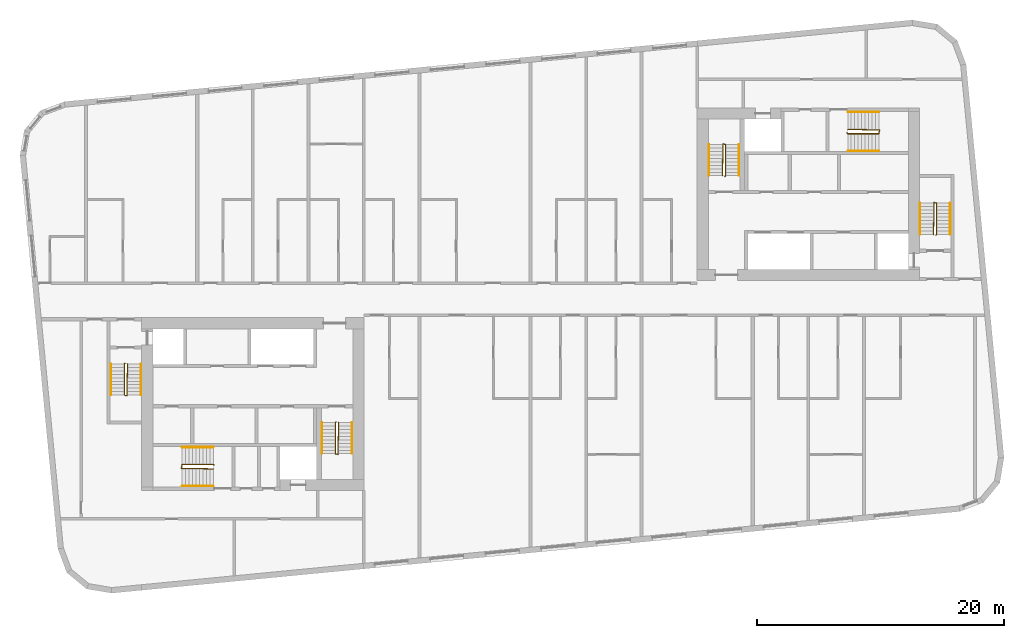
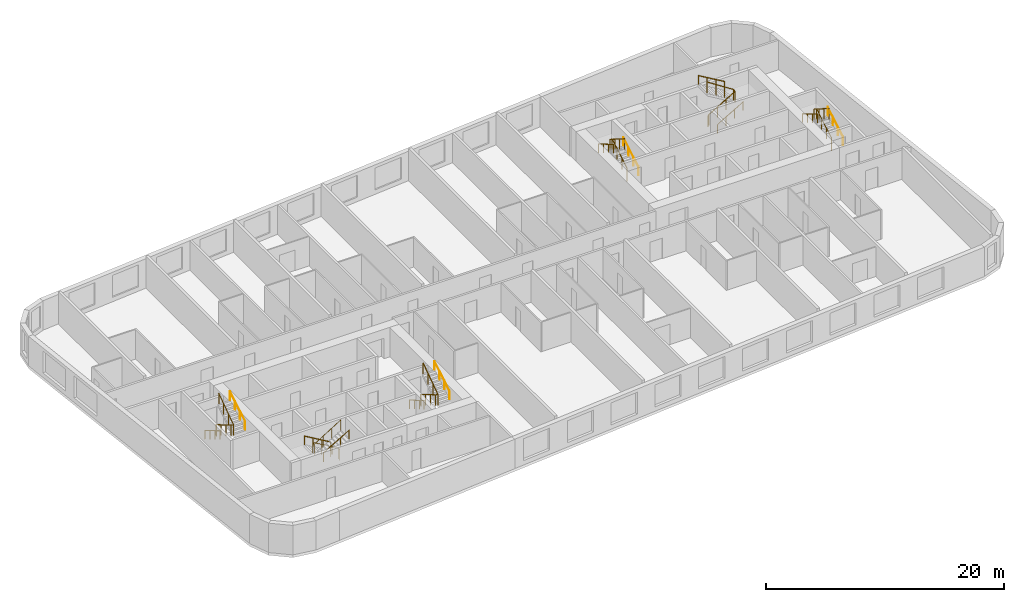
# One storey, part 12 of 12: 18 railings.
"""IFC4 building model written with IfcOpenShell, lengths in metres."""

from ifc_helpers import new_model, si_unit, direction, frame, origin, origin_2d, place, context, subcontext, project, spatial, circle, extrude, material, type_object, element, save


model = new_model("IFC4")

# Units and contexts
model_context = context("Model", 3, precision=1e-05, world=origin(), true_north=direction((0.0, 1.0)))
body_context = subcontext(model_context, "Body", "Model", "MODEL_VIEW")
ifc_project = project(units=[si_unit("LENGTHUNIT", "METRE"), si_unit("AREAUNIT", "SQUARE_METRE"), si_unit("VOLUMEUNIT", "CUBIC_METRE"), si_unit("PLANEANGLEUNIT", "RADIAN"), si_unit("MASSUNIT", "GRAM", prefix="KILO")], contexts=[model_context])

# Site, building, storey
site_placement = place(None, origin())
site = spatial("IfcSite", under=ifc_project, at=site_placement, CompositionType="ELEMENT")
building_placement = place(site_placement, origin())
building = spatial("IfcBuilding", under=site, at=building_placement, Name="Kajstack Hotel Tower", CompositionType="ELEMENT")
storey_placement = place(building_placement, frame((0.0, 0.0, 301.5)))
storey = spatial("IfcBuildingStorey", under=building, at=storey_placement, Name="L76", CompositionType="ELEMENT", Elevation=301.5)

# Railings
ifc_material = material(Name="Steel S355J2", Category="steel")
railing_type_1 = type_object("IfcRailingType", Name="Stair guard 1100", PredefinedType="GUARDRAIL", material=ifc_material)
railing_1_placement = place(storey_placement, frame((-32.85009765625, -5.199951171875, 0.0)))
element("IfcRailing", 1, at=railing_1_placement, inside=storey, type_object=railing_type_1, Name="L76 W1 stair guard 1", PredefinedType="GUARDRAIL", context=body_context, shape_type="SweptSolid", body=[
    extrude(circle(Radius=0.02392578125, at=origin_2d()), frame((0.0, 0.0, 1.076171875), z_axis=(-0.277450376394, -0.278810427259, 0.919394384522), x_axis=(0.708833529934, -0.705375805398, 0.0)), (0.0, 0.0, 1.0), 0.179443359375),
    extrude(circle(Radius=0.02392578125, at=origin_2d()), frame((-0.0498046875, -0.050048828125, 1.2412109375), z_axis=(0.0, -0.861560626758, 0.507654692109), x_axis=(1.0, 0.0, 0.0)), (0.0, 0.0, 1.0), 2.925048828125),
    extrude(circle(Radius=0.02392578125, at=origin_2d()), frame((-0.0498046875, -2.570068359375, 2.72607421875), z_axis=(0.970072785993, -0.242814311512, 0.0), x_axis=(0.242814311512, 0.970072785993, 0.0)), (0.0, 0.0, 1.0), 0.2060546875),
    extrude(circle(Radius=0.02392578125, at=origin_2d()), frame((0.150146484375, -2.6201171875, 2.72607421875), z_axis=(0.016384601254, 0.84136925563, 0.540212292087), x_axis=(-0.999810440751, 0.019470042781, 0.0)), (0.0, 0.0, 1.0), 3.0546875),
    extrude(circle(Radius=0.02099609375, at=origin_2d()), origin(), (0.0, 0.0, 1.0), 1.052001953125),
    extrude(circle(Radius=0.02099609375, at=origin_2d()), frame((-0.0498046875, -0.050048828125, 0.1650390625)), (0.0, 0.0, 1.0), 1.052001953125),
    extrude(circle(Radius=0.02099609375, at=origin_2d()), frame((-0.0498046875, -0.89013671875, 0.659912109375)), (0.0, 0.0, 1.0), 1.052001953125),
    extrude(circle(Radius=0.02099609375, at=origin_2d()), frame((-0.0498046875, -1.72998046875, 1.155029296875)), (0.0, 0.0, 1.0), 1.052001953125),
    extrude(circle(Radius=0.02099609375, at=origin_2d()), frame((-0.0498046875, -2.570068359375, 1.64990234375)), (0.0, 0.0, 1.0), 1.052001953125),
    extrude(circle(Radius=0.02099609375, at=origin_2d()), frame((0.150146484375, -2.6201171875, 1.64990234375)), (0.0, 0.0, 1.0), 1.052001953125),
    extrude(circle(Radius=0.02099609375, at=origin_2d()), frame((0.166748046875, -1.763427734375, 2.199951171875)), (0.0, 0.0, 1.0), 1.052001953125),
    extrude(circle(Radius=0.02099609375, at=origin_2d()), frame((0.18359375, -0.90673828125, 2.75)), (0.0, 0.0, 1.0), 1.052001953125),
    extrude(circle(Radius=0.02099609375, at=origin_2d()), frame((0.2001953125, -0.050048828125, 3.300048828125)), (0.0, 0.0, 1.0), 1.052001953125),
])
railing_2_placement = place(storey_placement, frame((-15.75, -9.949951171875, 0.0)))
element("IfcRailing", 2, at=railing_2_placement, inside=storey, type_object=railing_type_1, Name="L76 W2 stair guard 1", PredefinedType="GUARDRAIL", context=body_context, shape_type="SweptSolid", body=[
    extrude(circle(Radius=0.02392578125, at=origin_2d()), frame((0.0, 0.0, 1.076171875), z_axis=(-0.278705021027, -0.278705021027, 0.919046801044), x_axis=(0.707106781187, -0.707106781187, 0.0)), (0.0, 0.0, 1.0), 0.1796875),
    extrude(circle(Radius=0.02392578125, at=origin_2d()), frame((-0.050048828125, -0.050048828125, 1.2412109375), z_axis=(0.0, -0.861560626758, 0.507654692109), x_axis=(1.0, 0.0, 0.0)), (0.0, 0.0, 1.0), 2.925048828125),
    extrude(circle(Radius=0.02392578125, at=origin_2d()), frame((-0.050048828125, -2.570068359375, 2.72607421875), z_axis=(0.970072785993, -0.242814311512, 0.0), x_axis=(0.242814311512, 0.970072785993, 0.0)), (0.0, 0.0, 1.0), 0.2060546875),
    extrude(circle(Radius=0.02392578125, at=origin_2d()), frame((0.14990234375, -2.6201171875, 2.72607421875), z_axis=(0.016384601254, 0.84136925563, 0.540212292087), x_axis=(-0.999810440751, 0.019470042781, 0.0)), (0.0, 0.0, 1.0), 3.0546875),
    extrude(circle(Radius=0.02099609375, at=origin_2d()), origin(), (0.0, 0.0, 1.0), 1.052001953125),
    extrude(circle(Radius=0.02099609375, at=origin_2d()), frame((-0.050048828125, -0.050048828125, 0.1650390625)), (0.0, 0.0, 1.0), 1.052001953125),
    extrude(circle(Radius=0.02099609375, at=origin_2d()), frame((-0.050048828125, -0.89013671875, 0.659912109375)), (0.0, 0.0, 1.0), 1.052001953125),
    extrude(circle(Radius=0.02099609375, at=origin_2d()), frame((-0.050048828125, -1.72998046875, 1.155029296875)), (0.0, 0.0, 1.0), 1.052001953125),
    extrude(circle(Radius=0.02099609375, at=origin_2d()), frame((-0.050048828125, -2.570068359375, 1.64990234375)), (0.0, 0.0, 1.0), 1.052001953125),
    extrude(circle(Radius=0.02099609375, at=origin_2d()), frame((0.14990234375, -2.6201171875, 1.64990234375)), (0.0, 0.0, 1.0), 1.052001953125),
    extrude(circle(Radius=0.02099609375, at=origin_2d()), frame((0.16650390625, -1.763427734375, 2.199951171875)), (0.0, 0.0, 1.0), 1.052001953125),
    extrude(circle(Radius=0.02099609375, at=origin_2d()), frame((0.183349609375, -0.90673828125, 2.75)), (0.0, 0.0, 1.0), 1.052001953125),
    extrude(circle(Radius=0.02099609375, at=origin_2d()), frame((0.199951171875, -0.050048828125, 3.300048828125)), (0.0, 0.0, 1.0), 1.052001953125),
])
railing_3_placement = place(storey_placement, frame((-25.64990234375, -13.449951171875, 0.0)))
element("IfcRailing", 3, at=railing_3_placement, inside=storey, type_object=railing_type_1, Name="L76 W3 stair guard 1", PredefinedType="GUARDRAIL", context=body_context, shape_type="SweptSolid", body=[
    extrude(circle(Radius=0.02392578125, at=origin_2d()), frame((0.0, 0.0, 1.076171875), z_axis=(-0.278705021027, 0.278705021027, 0.919046801044), x_axis=(-0.707106781187, -0.707106781187, 0.0)), (0.0, 0.0, 1.0), 0.1796875),
    extrude(circle(Radius=0.02392578125, at=origin_2d()), frame((-0.050048828125, 0.050048828125, 1.2412109375), z_axis=(-0.861560626758, 0.0, 0.507654692109), x_axis=(0.0, -1.0, 0.0)), (0.0, 0.0, 1.0), 2.925048828125),
    extrude(circle(Radius=0.02392578125, at=origin_2d()), frame((-2.570068359375, 0.050048828125, 2.72607421875), z_axis=(-0.164529134168, -0.986372223864, 0.0), x_axis=(0.986372223864, -0.164529134168, 0.0)), (0.0, 0.0, 1.0), 0.30419921875),
    extrude(circle(Radius=0.02392578125, at=origin_2d()), frame((-2.6201171875, -0.25, 2.72607421875), z_axis=(0.84136925563, -0.016384601254, 0.540212292087), x_axis=(0.019470042781, 0.999810440751, 0.0)), (0.0, 0.0, 1.0), 3.0546875),
    extrude(circle(Radius=0.02099609375, at=origin_2d()), origin(), (0.0, 0.0, 1.0), 1.052001953125),
    extrude(circle(Radius=0.02099609375, at=origin_2d()), frame((-0.050048828125, 0.050048828125, 0.1650390625)), (0.0, 0.0, 1.0), 1.052001953125),
    extrude(circle(Radius=0.02099609375, at=origin_2d()), frame((-0.89013671875, 0.050048828125, 0.659912109375)), (0.0, 0.0, 1.0), 1.052001953125),
    extrude(circle(Radius=0.02099609375, at=origin_2d()), frame((-1.72998046875, 0.050048828125, 1.155029296875)), (0.0, 0.0, 1.0), 1.052001953125),
    extrude(circle(Radius=0.02099609375, at=origin_2d()), frame((-2.570068359375, 0.050048828125, 1.64990234375)), (0.0, 0.0, 1.0), 1.052001953125),
    extrude(circle(Radius=0.02099609375, at=origin_2d()), frame((-2.6201171875, -0.25, 1.64990234375)), (0.0, 0.0, 1.0), 1.052001953125),
    extrude(circle(Radius=0.02099609375, at=origin_2d()), frame((-1.763427734375, -0.2666015625, 2.199951171875)), (0.0, 0.0, 1.0), 1.052001953125),
    extrude(circle(Radius=0.02099609375, at=origin_2d()), frame((-0.90673828125, -0.283447265625, 2.75)), (0.0, 0.0, 1.0), 1.052001953125),
    extrude(circle(Radius=0.02099609375, at=origin_2d()), frame((-0.050048828125, -0.300048828125, 3.300048828125)), (0.0, 0.0, 1.0), 1.052001953125),
])
railing_4_placement = place(storey_placement, frame((32.85009765625, 5.199951171875, 0.0)))
element("IfcRailing", 4, at=railing_4_placement, inside=storey, type_object=railing_type_1, Name="L76 E1 stair guard 1", PredefinedType="GUARDRAIL", context=body_context, shape_type="SweptSolid", body=[
    extrude(circle(Radius=0.02392578125, at=origin_2d()), frame((0.0, 0.0, 1.076171875), z_axis=(0.277450376394, 0.278810427259, 0.919394384522), x_axis=(-0.708833529934, 0.705375805398, 0.0)), (0.0, 0.0, 1.0), 0.179443359375),
    extrude(circle(Radius=0.02392578125, at=origin_2d()), frame((0.0498046875, 0.050048828125, 1.2412109375), z_axis=(0.0, 0.861560626758, 0.507654692109), x_axis=(-1.0, 0.0, 0.0)), (0.0, 0.0, 1.0), 2.925048828125),
    extrude(circle(Radius=0.02392578125, at=origin_2d()), frame((0.0498046875, 2.570068359375, 2.72607421875), z_axis=(-0.970072785993, 0.242814311512, 0.0), x_axis=(-0.242814311512, -0.970072785993, 0.0)), (0.0, 0.0, 1.0), 0.2060546875),
    extrude(circle(Radius=0.02392578125, at=origin_2d()), frame((-0.150146484375, 2.6201171875, 2.72607421875), z_axis=(-0.016384601254, -0.84136925563, 0.540212292087), x_axis=(0.999810440751, -0.019470042781, 0.0)), (0.0, 0.0, 1.0), 3.0546875),
    extrude(circle(Radius=0.02099609375, at=origin_2d()), origin(), (0.0, 0.0, 1.0), 1.052001953125),
    extrude(circle(Radius=0.02099609375, at=origin_2d()), frame((0.0498046875, 0.050048828125, 0.1650390625)), (0.0, 0.0, 1.0), 1.052001953125),
    extrude(circle(Radius=0.02099609375, at=origin_2d()), frame((0.0498046875, 0.89013671875, 0.659912109375)), (0.0, 0.0, 1.0), 1.052001953125),
    extrude(circle(Radius=0.02099609375, at=origin_2d()), frame((0.0498046875, 1.72998046875, 1.155029296875)), (0.0, 0.0, 1.0), 1.052001953125),
    extrude(circle(Radius=0.02099609375, at=origin_2d()), frame((0.0498046875, 2.570068359375, 1.64990234375)), (0.0, 0.0, 1.0), 1.052001953125),
    extrude(circle(Radius=0.02099609375, at=origin_2d()), frame((-0.150146484375, 2.6201171875, 1.64990234375)), (0.0, 0.0, 1.0), 1.052001953125),
    extrude(circle(Radius=0.02099609375, at=origin_2d()), frame((-0.166748046875, 1.763427734375, 2.199951171875)), (0.0, 0.0, 1.0), 1.052001953125),
    extrude(circle(Radius=0.02099609375, at=origin_2d()), frame((-0.18359375, 0.90673828125, 2.75)), (0.0, 0.0, 1.0), 1.052001953125),
    extrude(circle(Radius=0.02099609375, at=origin_2d()), frame((-0.2001953125, 0.050048828125, 3.300048828125)), (0.0, 0.0, 1.0), 1.052001953125),
])
railing_5_placement = place(storey_placement, frame((15.75, 9.949951171875, 0.0)))
element("IfcRailing", 5, at=railing_5_placement, inside=storey, type_object=railing_type_1, Name="L76 E2 stair guard 1", PredefinedType="GUARDRAIL", context=body_context, shape_type="SweptSolid", body=[
    extrude(circle(Radius=0.02392578125, at=origin_2d()), frame((0.0, 0.0, 1.076171875), z_axis=(0.278705021027, 0.278705021027, 0.919046801044), x_axis=(-0.707106781187, 0.707106781187, 0.0)), (0.0, 0.0, 1.0), 0.1796875),
    extrude(circle(Radius=0.02392578125, at=origin_2d()), frame((0.050048828125, 0.050048828125, 1.2412109375), z_axis=(0.0, 0.861560626758, 0.507654692109), x_axis=(-1.0, 0.0, 0.0)), (0.0, 0.0, 1.0), 2.925048828125),
    extrude(circle(Radius=0.02392578125, at=origin_2d()), frame((0.050048828125, 2.570068359375, 2.72607421875), z_axis=(-0.970072785993, 0.242814311512, 0.0), x_axis=(-0.242814311512, -0.970072785993, 0.0)), (0.0, 0.0, 1.0), 0.2060546875),
    extrude(circle(Radius=0.02392578125, at=origin_2d()), frame((-0.14990234375, 2.6201171875, 2.72607421875), z_axis=(-0.016384601254, -0.84136925563, 0.540212292087), x_axis=(0.999810440751, -0.019470042781, 0.0)), (0.0, 0.0, 1.0), 3.0546875),
    extrude(circle(Radius=0.02099609375, at=origin_2d()), origin(), (0.0, 0.0, 1.0), 1.052001953125),
    extrude(circle(Radius=0.02099609375, at=origin_2d()), frame((0.050048828125, 0.050048828125, 0.1650390625)), (0.0, 0.0, 1.0), 1.052001953125),
    extrude(circle(Radius=0.02099609375, at=origin_2d()), frame((0.050048828125, 0.89013671875, 0.659912109375)), (0.0, 0.0, 1.0), 1.052001953125),
    extrude(circle(Radius=0.02099609375, at=origin_2d()), frame((0.050048828125, 1.72998046875, 1.155029296875)), (0.0, 0.0, 1.0), 1.052001953125),
    extrude(circle(Radius=0.02099609375, at=origin_2d()), frame((0.050048828125, 2.570068359375, 1.64990234375)), (0.0, 0.0, 1.0), 1.052001953125),
    extrude(circle(Radius=0.02099609375, at=origin_2d()), frame((-0.14990234375, 2.6201171875, 1.64990234375)), (0.0, 0.0, 1.0), 1.052001953125),
    extrude(circle(Radius=0.02099609375, at=origin_2d()), frame((-0.16650390625, 1.763427734375, 2.199951171875)), (0.0, 0.0, 1.0), 1.052001953125),
    extrude(circle(Radius=0.02099609375, at=origin_2d()), frame((-0.183349609375, 0.90673828125, 2.75)), (0.0, 0.0, 1.0), 1.052001953125),
    extrude(circle(Radius=0.02099609375, at=origin_2d()), frame((-0.199951171875, 0.050048828125, 3.300048828125)), (0.0, 0.0, 1.0), 1.052001953125),
])
railing_6_placement = place(storey_placement, frame((25.64990234375, 13.449951171875, 0.0)))
element("IfcRailing", 6, at=railing_6_placement, inside=storey, type_object=railing_type_1, Name="L76 E3 stair guard 1", PredefinedType="GUARDRAIL", context=body_context, shape_type="SweptSolid", body=[
    extrude(circle(Radius=0.02392578125, at=origin_2d()), frame((0.0, 0.0, 1.076171875), z_axis=(0.278705021027, -0.278705021027, 0.919046801044), x_axis=(0.707106781187, 0.707106781187, 0.0)), (0.0, 0.0, 1.0), 0.1796875),
    extrude(circle(Radius=0.02392578125, at=origin_2d()), frame((0.050048828125, -0.050048828125, 1.2412109375), z_axis=(0.861560626758, 0.0, 0.507654692109), x_axis=(0.0, 1.0, 0.0)), (0.0, 0.0, 1.0), 2.925048828125),
    extrude(circle(Radius=0.02392578125, at=origin_2d()), frame((2.570068359375, -0.050048828125, 2.72607421875), z_axis=(0.164529134168, 0.986372223864, 0.0), x_axis=(-0.986372223864, 0.164529134168, 0.0)), (0.0, 0.0, 1.0), 0.30419921875),
    extrude(circle(Radius=0.02392578125, at=origin_2d()), frame((2.6201171875, 0.25, 2.72607421875), z_axis=(-0.84136925563, 0.016384601254, 0.540212292087), x_axis=(-0.019470042781, -0.999810440751, 0.0)), (0.0, 0.0, 1.0), 3.0546875),
    extrude(circle(Radius=0.02099609375, at=origin_2d()), origin(), (0.0, 0.0, 1.0), 1.052001953125),
    extrude(circle(Radius=0.02099609375, at=origin_2d()), frame((0.050048828125, -0.050048828125, 0.1650390625)), (0.0, 0.0, 1.0), 1.052001953125),
    extrude(circle(Radius=0.02099609375, at=origin_2d()), frame((0.89013671875, -0.050048828125, 0.659912109375)), (0.0, 0.0, 1.0), 1.052001953125),
    extrude(circle(Radius=0.02099609375, at=origin_2d()), frame((1.72998046875, -0.050048828125, 1.155029296875)), (0.0, 0.0, 1.0), 1.052001953125),
    extrude(circle(Radius=0.02099609375, at=origin_2d()), frame((2.570068359375, -0.050048828125, 1.64990234375)), (0.0, 0.0, 1.0), 1.052001953125),
    extrude(circle(Radius=0.02099609375, at=origin_2d()), frame((2.6201171875, 0.25, 1.64990234375)), (0.0, 0.0, 1.0), 1.052001953125),
    extrude(circle(Radius=0.02099609375, at=origin_2d()), frame((1.763427734375, 0.2666015625, 2.199951171875)), (0.0, 0.0, 1.0), 1.052001953125),
    extrude(circle(Radius=0.02099609375, at=origin_2d()), frame((0.90673828125, 0.283447265625, 2.75)), (0.0, 0.0, 1.0), 1.052001953125),
    extrude(circle(Radius=0.02099609375, at=origin_2d()), frame((0.050048828125, 0.300048828125, 3.300048828125)), (0.0, 0.0, 1.0), 1.052001953125),
])
railing_type_2 = type_object("IfcRailingType", Name="Stair handrail 900", PredefinedType="HANDRAIL", material=ifc_material)
railing_7_placement = place(storey_placement, frame((-34.0, -5.25, 0.1650390625)))
element("IfcRailing", 7, at=railing_7_placement, inside=storey, type_object=railing_type_2, Name="L76 W1 stair handrail 1", PredefinedType="HANDRAIL", context=body_context, shape_type="SweptSolid", body=[
    extrude(circle(Radius=0.02392578125, at=origin_2d()), frame((0.0, 0.0, 0.8759765625), z_axis=(0.0, -0.861560626758, 0.507654692109), x_axis=(1.0, 0.0, 0.0)), (0.0, 0.0, 1.0), 2.925048828125),
    extrude(circle(Radius=0.02099609375, at=origin_2d()), origin(), (0.0, 0.0, 1.0), 0.851806640625),
    extrude(circle(Radius=0.02099609375, at=origin_2d()), frame((0.0, -0.840087890625, 0.494873046875)), (0.0, 0.0, 1.0), 0.851806640625),
    extrude(circle(Radius=0.02099609375, at=origin_2d()), frame((0.0, -1.679931640625, 0.989990234375)), (0.0, 0.0, 1.0), 0.851806640625),
    extrude(circle(Radius=0.02099609375, at=origin_2d()), frame((0.0, -2.52001953125, 1.48486328125)), (0.0, 0.0, 1.0), 0.851806640625),
])
railing_8_placement = place(storey_placement, frame((-31.550048828125, -7.77001953125, 1.81494140625)))
element("IfcRailing", 8, at=railing_8_placement, inside=storey, type_object=railing_type_2, Name="L76 W1 stair handrail 2", PredefinedType="HANDRAIL", context=body_context, shape_type="SweptSolid", body=[
    extrude(circle(Radius=0.02392578125, at=origin_2d()), frame((0.0, 0.0, 0.8759765625), z_axis=(0.0, 0.86152411907, 0.507716645641), x_axis=(-1.0, 0.0, 0.0)), (0.0, 0.0, 1.0), 2.925048828125),
    extrude(circle(Radius=0.02099609375, at=origin_2d()), origin(), (0.0, 0.0, 1.0), 0.851806640625),
    extrude(circle(Radius=0.02099609375, at=origin_2d()), frame((0.0, 0.840087890625, 0.4951171875)), (0.0, 0.0, 1.0), 0.851806640625),
    extrude(circle(Radius=0.02099609375, at=origin_2d()), frame((0.0, 1.679931640625, 0.989990234375)), (0.0, 0.0, 1.0), 0.851806640625),
    extrude(circle(Radius=0.02099609375, at=origin_2d()), frame((0.0, 2.52001953125, 1.485107421875)), (0.0, 0.0, 1.0), 0.851806640625),
])
railing_9_placement = place(storey_placement, frame((-16.89990234375, -10.0, 0.1650390625)))
element("IfcRailing", 9, at=railing_9_placement, inside=storey, type_object=railing_type_2, Name="L76 W2 stair handrail 1", PredefinedType="HANDRAIL", context=body_context, shape_type="SweptSolid", body=[
    extrude(circle(Radius=0.02392578125, at=origin_2d()), frame((0.0, 0.0, 0.8759765625), z_axis=(0.0, -0.861560626758, 0.507654692109), x_axis=(1.0, 0.0, 0.0)), (0.0, 0.0, 1.0), 2.925048828125),
    extrude(circle(Radius=0.02099609375, at=origin_2d()), origin(), (0.0, 0.0, 1.0), 0.851806640625),
    extrude(circle(Radius=0.02099609375, at=origin_2d()), frame((0.0, -0.840087890625, 0.494873046875)), (0.0, 0.0, 1.0), 0.851806640625),
    extrude(circle(Radius=0.02099609375, at=origin_2d()), frame((0.0, -1.679931640625, 0.989990234375)), (0.0, 0.0, 1.0), 0.851806640625),
    extrude(circle(Radius=0.02099609375, at=origin_2d()), frame((0.0, -2.52001953125, 1.48486328125)), (0.0, 0.0, 1.0), 0.851806640625),
])
railing_10_placement = place(storey_placement, frame((-14.449951171875, -12.52001953125, 1.81494140625)))
element("IfcRailing", 10, at=railing_10_placement, inside=storey, type_object=railing_type_2, Name="L76 W2 stair handrail 2", PredefinedType="HANDRAIL", context=body_context, shape_type="SweptSolid", body=[
    extrude(circle(Radius=0.02392578125, at=origin_2d()), frame((0.0, 0.0, 0.8759765625), z_axis=(0.0, 0.86152411907, 0.507716645641), x_axis=(-1.0, 0.0, 0.0)), (0.0, 0.0, 1.0), 2.925048828125),
    extrude(circle(Radius=0.02099609375, at=origin_2d()), origin(), (0.0, 0.0, 1.0), 0.851806640625),
    extrude(circle(Radius=0.02099609375, at=origin_2d()), frame((0.0, 0.840087890625, 0.4951171875)), (0.0, 0.0, 1.0), 0.851806640625),
    extrude(circle(Radius=0.02099609375, at=origin_2d()), frame((0.0, 1.679931640625, 0.989990234375)), (0.0, 0.0, 1.0), 0.851806640625),
    extrude(circle(Radius=0.02099609375, at=origin_2d()), frame((0.0, 2.52001953125, 1.485107421875)), (0.0, 0.0, 1.0), 0.851806640625),
])
railing_11_placement = place(storey_placement, frame((-25.699951171875, -12.0, 0.1650390625)))
element("IfcRailing", 11, at=railing_11_placement, inside=storey, type_object=railing_type_2, Name="L76 W3 stair handrail 1", PredefinedType="HANDRAIL", context=body_context, shape_type="SweptSolid", body=[
    extrude(circle(Radius=0.02392578125, at=origin_2d()), frame((0.0, 0.0, 0.8759765625), z_axis=(-0.861560626758, 0.0, 0.507654692109), x_axis=(0.0, -1.0, 0.0)), (0.0, 0.0, 1.0), 2.925048828125),
    extrude(circle(Radius=0.02099609375, at=origin_2d()), origin(), (0.0, 0.0, 1.0), 0.851806640625),
    extrude(circle(Radius=0.02099609375, at=origin_2d()), frame((-0.840087890625, 0.0, 0.494873046875)), (0.0, 0.0, 1.0), 0.851806640625),
    extrude(circle(Radius=0.02099609375, at=origin_2d()), frame((-1.679931640625, 0.0, 0.989990234375)), (0.0, 0.0, 1.0), 0.851806640625),
    extrude(circle(Radius=0.02099609375, at=origin_2d()), frame((-2.52001953125, 0.0, 1.48486328125)), (0.0, 0.0, 1.0), 0.851806640625),
])
railing_12_placement = place(storey_placement, frame((-28.219970703125, -15.14990234375, 1.81494140625)))
element("IfcRailing", 12, at=railing_12_placement, inside=storey, type_object=railing_type_2, Name="L76 W3 stair handrail 2", PredefinedType="HANDRAIL", context=body_context, shape_type="SweptSolid", body=[
    extrude(circle(Radius=0.02392578125, at=origin_2d()), frame((0.0, 0.0, 0.8759765625), z_axis=(0.86152411907, 0.0, 0.507716645641), x_axis=(0.0, 1.0, 0.0)), (0.0, 0.0, 1.0), 2.925048828125),
    extrude(circle(Radius=0.02099609375, at=origin_2d()), origin(), (0.0, 0.0, 1.0), 0.851806640625),
    extrude(circle(Radius=0.02099609375, at=origin_2d()), frame((0.840087890625, 0.0, 0.4951171875)), (0.0, 0.0, 1.0), 0.851806640625),
    extrude(circle(Radius=0.02099609375, at=origin_2d()), frame((1.679931640625, 0.0, 0.989990234375)), (0.0, 0.0, 1.0), 0.851806640625),
    extrude(circle(Radius=0.02099609375, at=origin_2d()), frame((2.52001953125, 0.0, 1.485107421875)), (0.0, 0.0, 1.0), 0.851806640625),
])
railing_13_placement = place(storey_placement, frame((34.0, 5.25, 0.1650390625)))
element("IfcRailing", 13, at=railing_13_placement, inside=storey, type_object=railing_type_2, Name="L76 E1 stair handrail 1", PredefinedType="HANDRAIL", context=body_context, shape_type="SweptSolid", body=[
    extrude(circle(Radius=0.02392578125, at=origin_2d()), frame((0.0, 0.0, 0.8759765625), z_axis=(0.0, 0.861560626758, 0.507654692109), x_axis=(-1.0, 0.0, 0.0)), (0.0, 0.0, 1.0), 2.925048828125),
    extrude(circle(Radius=0.02099609375, at=origin_2d()), origin(), (0.0, 0.0, 1.0), 0.851806640625),
    extrude(circle(Radius=0.02099609375, at=origin_2d()), frame((0.0, 0.840087890625, 0.494873046875)), (0.0, 0.0, 1.0), 0.851806640625),
    extrude(circle(Radius=0.02099609375, at=origin_2d()), frame((0.0, 1.679931640625, 0.989990234375)), (0.0, 0.0, 1.0), 0.851806640625),
    extrude(circle(Radius=0.02099609375, at=origin_2d()), frame((0.0, 2.52001953125, 1.48486328125)), (0.0, 0.0, 1.0), 0.851806640625),
])
railing_14_placement = place(storey_placement, frame((31.550048828125, 7.77001953125, 1.81494140625)))
element("IfcRailing", 14, at=railing_14_placement, inside=storey, type_object=railing_type_2, Name="L76 E1 stair handrail 2", PredefinedType="HANDRAIL", context=body_context, shape_type="SweptSolid", body=[
    extrude(circle(Radius=0.02392578125, at=origin_2d()), frame((0.0, 0.0, 0.8759765625), z_axis=(0.0, -0.86152411907, 0.507716645641), x_axis=(1.0, 0.0, 0.0)), (0.0, 0.0, 1.0), 2.925048828125),
    extrude(circle(Radius=0.02099609375, at=origin_2d()), origin(), (0.0, 0.0, 1.0), 0.851806640625),
    extrude(circle(Radius=0.02099609375, at=origin_2d()), frame((0.0, -0.840087890625, 0.4951171875)), (0.0, 0.0, 1.0), 0.851806640625),
    extrude(circle(Radius=0.02099609375, at=origin_2d()), frame((0.0, -1.679931640625, 0.989990234375)), (0.0, 0.0, 1.0), 0.851806640625),
    extrude(circle(Radius=0.02099609375, at=origin_2d()), frame((0.0, -2.52001953125, 1.485107421875)), (0.0, 0.0, 1.0), 0.851806640625),
])
railing_15_placement = place(storey_placement, frame((16.89990234375, 10.0, 0.1650390625)))
element("IfcRailing", 15, at=railing_15_placement, inside=storey, type_object=railing_type_2, Name="L76 E2 stair handrail 1", PredefinedType="HANDRAIL", context=body_context, shape_type="SweptSolid", body=[
    extrude(circle(Radius=0.02392578125, at=origin_2d()), frame((0.0, 0.0, 0.8759765625), z_axis=(0.0, 0.861560626758, 0.507654692109), x_axis=(-1.0, 0.0, 0.0)), (0.0, 0.0, 1.0), 2.925048828125),
    extrude(circle(Radius=0.02099609375, at=origin_2d()), origin(), (0.0, 0.0, 1.0), 0.851806640625),
    extrude(circle(Radius=0.02099609375, at=origin_2d()), frame((0.0, 0.840087890625, 0.494873046875)), (0.0, 0.0, 1.0), 0.851806640625),
    extrude(circle(Radius=0.02099609375, at=origin_2d()), frame((0.0, 1.679931640625, 0.989990234375)), (0.0, 0.0, 1.0), 0.851806640625),
    extrude(circle(Radius=0.02099609375, at=origin_2d()), frame((0.0, 2.52001953125, 1.48486328125)), (0.0, 0.0, 1.0), 0.851806640625),
])
railing_16_placement = place(storey_placement, frame((14.449951171875, 12.52001953125, 1.81494140625)))
element("IfcRailing", 16, at=railing_16_placement, inside=storey, type_object=railing_type_2, Name="L76 E2 stair handrail 2", PredefinedType="HANDRAIL", context=body_context, shape_type="SweptSolid", body=[
    extrude(circle(Radius=0.02392578125, at=origin_2d()), frame((0.0, 0.0, 0.8759765625), z_axis=(0.0, -0.86152411907, 0.507716645641), x_axis=(1.0, 0.0, 0.0)), (0.0, 0.0, 1.0), 2.925048828125),
    extrude(circle(Radius=0.02099609375, at=origin_2d()), origin(), (0.0, 0.0, 1.0), 0.851806640625),
    extrude(circle(Radius=0.02099609375, at=origin_2d()), frame((0.0, -0.840087890625, 0.4951171875)), (0.0, 0.0, 1.0), 0.851806640625),
    extrude(circle(Radius=0.02099609375, at=origin_2d()), frame((0.0, -1.679931640625, 0.989990234375)), (0.0, 0.0, 1.0), 0.851806640625),
    extrude(circle(Radius=0.02099609375, at=origin_2d()), frame((0.0, -2.52001953125, 1.485107421875)), (0.0, 0.0, 1.0), 0.851806640625),
])
railing_17_placement = place(storey_placement, frame((25.699951171875, 12.0, 0.1650390625)))
element("IfcRailing", 17, at=railing_17_placement, inside=storey, type_object=railing_type_2, Name="L76 E3 stair handrail 1", PredefinedType="HANDRAIL", context=body_context, shape_type="SweptSolid", body=[
    extrude(circle(Radius=0.02392578125, at=origin_2d()), frame((0.0, 0.0, 0.8759765625), z_axis=(0.861560626758, 0.0, 0.507654692109), x_axis=(0.0, 1.0, 0.0)), (0.0, 0.0, 1.0), 2.925048828125),
    extrude(circle(Radius=0.02099609375, at=origin_2d()), origin(), (0.0, 0.0, 1.0), 0.851806640625),
    extrude(circle(Radius=0.02099609375, at=origin_2d()), frame((0.840087890625, 0.0, 0.494873046875)), (0.0, 0.0, 1.0), 0.851806640625),
    extrude(circle(Radius=0.02099609375, at=origin_2d()), frame((1.679931640625, 0.0, 0.989990234375)), (0.0, 0.0, 1.0), 0.851806640625),
    extrude(circle(Radius=0.02099609375, at=origin_2d()), frame((2.52001953125, 0.0, 1.48486328125)), (0.0, 0.0, 1.0), 0.851806640625),
])
railing_18_placement = place(storey_placement, frame((28.219970703125, 15.14990234375, 1.81494140625)))
element("IfcRailing", 18, at=railing_18_placement, inside=storey, type_object=railing_type_2, Name="L76 E3 stair handrail 2", PredefinedType="HANDRAIL", context=body_context, shape_type="SweptSolid", body=[
    extrude(circle(Radius=0.02392578125, at=origin_2d()), frame((0.0, 0.0, 0.8759765625), z_axis=(-0.86152411907, 0.0, 0.507716645641), x_axis=(0.0, -1.0, 0.0)), (0.0, 0.0, 1.0), 2.925048828125),
    extrude(circle(Radius=0.02099609375, at=origin_2d()), origin(), (0.0, 0.0, 1.0), 0.851806640625),
    extrude(circle(Radius=0.02099609375, at=origin_2d()), frame((-0.840087890625, 0.0, 0.4951171875)), (0.0, 0.0, 1.0), 0.851806640625),
    extrude(circle(Radius=0.02099609375, at=origin_2d()), frame((-1.679931640625, 0.0, 0.989990234375)), (0.0, 0.0, 1.0), 0.851806640625),
    extrude(circle(Radius=0.02099609375, at=origin_2d()), frame((-2.52001953125, 0.0, 1.485107421875)), (0.0, 0.0, 1.0), 0.851806640625),
])

save(model, "model.ifc")
